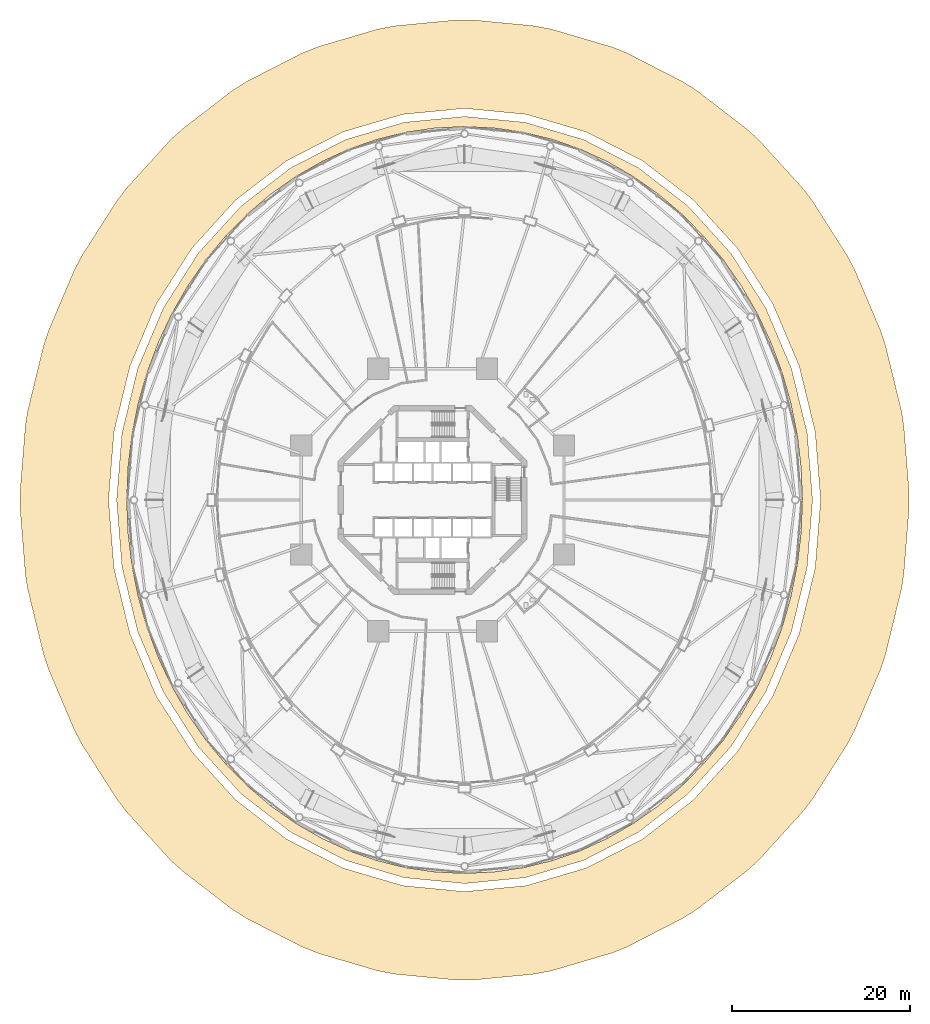
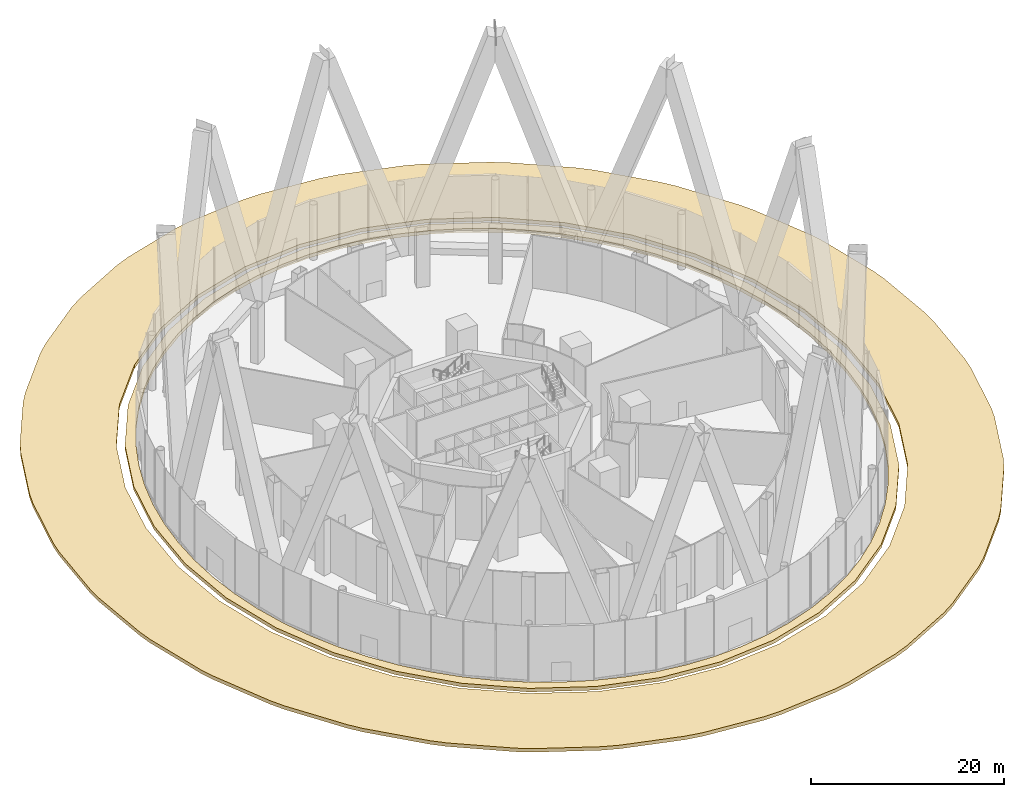
# One storey, part 65 of 67: 2 coverings.
"""IFC4 building model written with IfcOpenShell, lengths in metres."""

import ifcopenshell
import ifcopenshell.guid

model = None  # the IFC model being written
_history = None  # IfcOwnerHistory: only IFC2X3 demands one
_inside = {}  # id of a spatial element -> (the spatial element, [elements in it])
_under = {}  # id of a project, library or spatial element -> (it, [spatial elements below it])
_declared = {}  # id of a project -> (the project, [libraries it declares])
_typed = {}  # id of a type object -> (the type object, [elements of that type])
_made_of = {}  # id of a material, layer set ... -> (it, [elements and type objects made of it])


def new_model(schema):
    """Start an empty IFC model of exactly this schema.

    Asked for "IFC4X3", IfcOpenShell would pick the latest addendum, in which some entities
    have other attributes; the version numbers below select the first issue.
    IFC2X3 requires an IfcOwnerHistory on every rooted entity: one is made here for all.
    """
    global model, _history
    if schema == "IFC4X3":
        model = ifcopenshell.file(schema_version=(4, 3, 0, 0))
    else:
        model = ifcopenshell.file(schema=schema)
    _inside.clear()
    _under.clear()
    _declared.clear()
    _typed.clear()
    _made_of.clear()
    _history = None
    if model.schema == "IFC2X3":
        org = make("IfcOrganization", Name="unknown")
        user = make(
            "IfcPersonAndOrganization",
            ThePerson=make("IfcPerson", FamilyName="unknown"),
            TheOrganization=org,
        )
        app = make(
            "IfcApplication",
            ApplicationDeveloper=org,
            Version="unknown",
            ApplicationFullName="unknown",
            ApplicationIdentifier="unknown",
        )
        _history = make(
            "IfcOwnerHistory",
            OwningUser=user,
            OwningApplication=app,
            ChangeAction="ADDED",
            CreationDate=0,
        )
    return model


def make(cls, **values):
    """One entity of the class cls with the attributes given. An attribute that is None is left unset."""
    return model.create_entity(
        cls, **{name: value for name, value in values.items() if value is not None}
    )


def rooted(cls, **values):
    """An entity with a GlobalId (a new one), such as an element, a storey or a relation."""
    return make(cls, GlobalId=ifcopenshell.guid.new(), OwnerHistory=_history, **values)


def si_unit(unit_type, name, prefix=None):
    """IfcSIUnit, for example si_unit("LENGTHUNIT", "METRE", prefix="MILLI")."""
    return make("IfcSIUnit", UnitType=unit_type, Prefix=prefix, Name=name)


def assignment(units):
    """IfcUnitAssignment: the units of a project."""
    return None if units is None else make("IfcUnitAssignment", Units=units)


def point(xyz):
    """IfcCartesianPoint."""
    return None if xyz is None else make("IfcCartesianPoint", Coordinates=xyz)


def direction(xyz):
    """IfcDirection."""
    return None if xyz is None else make("IfcDirection", DirectionRatios=xyz)


def frame(location, z_axis=None, x_axis=None):
    """IfcAxis2Placement3D, a coordinate frame: its origin and axes. An axis left out is left unset."""
    return make(
        "IfcAxis2Placement3D",
        Location=point(location),
        Axis=direction(z_axis),
        RefDirection=direction(x_axis),
    )


def origin():
    """The frame at (0, 0, 0) with its axes left unset."""
    return frame((0.0, 0.0, 0.0))


def place(relative_to, where):
    """IfcLocalPlacement: puts the frame where relative to a parent placement (None: the world)."""
    return make(
        "IfcLocalPlacement", PlacementRelTo=relative_to, RelativePlacement=where
    )


def context(
    kind, dimensions, precision=None, world=None, true_north=None, identifier=None
):
    """IfcGeometricRepresentationContext, for example the 3D "Model" context."""
    return make(
        "IfcGeometricRepresentationContext",
        ContextIdentifier=identifier,
        ContextType=kind,
        CoordinateSpaceDimension=dimensions,
        Precision=precision,
        WorldCoordinateSystem=world,
        TrueNorth=true_north,
    )


def subcontext(parent, identifier, kind, view, scale=None):
    """IfcGeometricRepresentationSubContext, for example "Body" below "Model"."""
    return make(
        "IfcGeometricRepresentationSubContext",
        ContextIdentifier=identifier,
        ContextType=kind,
        ParentContext=parent,
        TargetScale=scale,
        TargetView=view,
    )


def project(units=None, contexts=None):
    """IfcProject with its units and contexts."""
    return rooted(
        "IfcProject",
        Name="project",
        RepresentationContexts=contexts,
        UnitsInContext=assignment(units),
    )


def spatial(cls, under=None, at=None, **own):
    """A site, building, storey or space (cls), placed at a placement, below another one or the project."""
    s = rooted(cls, ObjectPlacement=at, **own)
    if under is not None:
        _under.setdefault(under.id(), (under, []))[1].append(s)
    return s


def polyline(points):
    """IfcPolyline through the points."""
    return make("IfcPolyline", Points=[point(p) for p in points])


def outline(outer, holes=None, kind="AREA"):
    """IfcArbitraryClosedProfileDef: a profile drawn as a closed curve; with holes, ...WithVoids."""
    if holes is None:
        return make("IfcArbitraryClosedProfileDef", ProfileType=kind, OuterCurve=outer)
    return make(
        "IfcArbitraryProfileDefWithVoids",
        ProfileType=kind,
        OuterCurve=outer,
        InnerCurves=holes,
    )


def extrude(swept, where, along, depth):
    """IfcExtrudedAreaSolid: the profile swept, set in the frame where, extruded along a direction by depth."""
    return make(
        "IfcExtrudedAreaSolid",
        SweptArea=swept,
        Position=where,
        ExtrudedDirection=direction(along),
        Depth=depth,
    )


def shape(context_of_items, identifier, shape_type, items):
    """IfcShapeRepresentation: the items that make up one representation, for example the "Body"."""
    return make(
        "IfcShapeRepresentation",
        ContextOfItems=context_of_items,
        RepresentationIdentifier=identifier,
        RepresentationType=shape_type,
        Items=items,
    )


def material(Name=None, Category=None):
    """IfcMaterial."""
    return make("IfcMaterial", Name=Name, Category=Category)


def layer(
    of_material, thickness, ventilated=None, Name=None, Category=None, Priority=None
):
    """IfcMaterialLayer: one layer of a wall or slab, of a material (None: an air gap)."""
    return make(
        "IfcMaterialLayer",
        Material=of_material,
        LayerThickness=thickness,
        IsVentilated=ventilated,
        Name=Name,
        Category=Category,
        Priority=Priority,
    )


def layer_set(layers, Name=None):
    """IfcMaterialLayerSet."""
    return make("IfcMaterialLayerSet", MaterialLayers=layers, LayerSetName=Name)


def made_of(thing, what):
    """Note that an element or type object is made of a material, layer set ...; save() writes the relation."""
    if what is not None:
        _made_of.setdefault(what.id(), (what, []))[1].append(thing)
    return thing


def type_object(cls, material=None, **own):
    """A type object (cls), such as IfcWallType, which elements share."""
    return made_of(rooted(cls, **own), material)


def element(
    cls,
    number,
    at=None,
    inside=None,
    cuts=None,
    type_object=None,
    material=None,
    context=None,
    identifier="Body",
    shape_type=None,
    held_by="IfcProductDefinitionShape",
    body=None,
    shapes=None,
    **own,
):
    """One element of the class cls, such as IfcWall. Its Tag is "e" and its number.

    at: its placement. inside: the storey or other place that contains it. cuts: it is an
    opening in that element (IfcRelVoidsElement). A single representation is given by context,
    identifier, shape_type and body (its items); several are given by shapes. held_by: the class
    of the entity that holds the representations. save() writes the other relations.
    """
    e = rooted(cls, Tag="e%d" % number, ObjectPlacement=at, **own)
    if body is not None:
        shapes = [shape(context, identifier, shape_type, body)]
    if shapes is not None:
        e.Representation = make(held_by, Representations=shapes)
    if inside is not None:
        _inside.setdefault(inside.id(), (inside, []))[1].append(e)
    if cuts is not None:
        rooted(
            "IfcRelVoidsElement", RelatingBuildingElement=cuts, RelatedOpeningElement=e
        )
    if type_object is not None:
        _typed.setdefault(type_object.id(), (type_object, []))[1].append(e)
    return made_of(e, material)


def aggregate(whole, parts):
    """IfcRelAggregates: a whole, such as a stair, and the parts it consists of."""
    return rooted("IfcRelAggregates", RelatingObject=whole, RelatedObjects=parts)


def save(model, path):
    """Write the relations noted so far, then the file.

    IfcRelAggregates (storeys below a building ...), IfcRelContainedInSpatialStructure (elements
    in a storey), IfcRelDefinesByType, IfcRelAssociatesMaterial and IfcRelDeclares: one each for
    every whole, place, type object, material and project.
    """
    for whole, parts in _under.values():
        aggregate(whole, parts)
    for where, things in _inside.values():
        rooted(
            "IfcRelContainedInSpatialStructure",
            RelatedElements=things,
            RelatingStructure=where,
        )
    for kind, things in _typed.values():
        rooted("IfcRelDefinesByType", RelatedObjects=things, RelatingType=kind)
    for what, things in _made_of.values():
        rooted("IfcRelAssociatesMaterial", RelatedObjects=things, RelatingMaterial=what)
    for by, libraries in _declared.values():
        rooted("IfcRelDeclares", RelatingContext=by, RelatedDefinitions=libraries)
    model.write(path)


model = new_model("IFC4")

# Units and contexts
model_context = context("Model", 3, precision=1e-05, world=origin(), true_north=direction((0.0, 1.0)))
body_context = subcontext(model_context, "Body", "Model", "MODEL_VIEW")
ifc_project = project(units=[si_unit("LENGTHUNIT", "METRE"), si_unit("AREAUNIT", "SQUARE_METRE"), si_unit("VOLUMEUNIT", "CUBIC_METRE"), si_unit("PLANEANGLEUNIT", "RADIAN"), si_unit("MASSUNIT", "GRAM", prefix="KILO")], contexts=[model_context])

# Site, building, storey
site_placement = place(None, origin())
site = spatial("IfcSite", under=ifc_project, at=site_placement, CompositionType="ELEMENT")
building_placement = place(site_placement, origin())
building = spatial("IfcBuilding", under=site, at=building_placement, Name="Nagisa Residences", CompositionType="ELEMENT")
storey_placement = place(building_placement, origin())
storey = spatial("IfcBuildingStorey", under=building, at=storey_placement, Name="L00", CompositionType="ELEMENT", Elevation=0.0)

# Coverings
ifc_material = material(Name="Granite paving", Category="masonry")
ifc_layer = layer(ifc_material, 0.449951171875)
ifc_layer_set = layer_set([ifc_layer], Name="FORECOURT PAVING 450")
covering_type = type_object("IfcCoveringType", Name="FORECOURT PAVING 450", PredefinedType="FLOORING", material=ifc_layer_set)
covering_1_placement = place(storey_placement, frame((0.0, 0.0, -0.449951171875)))
element("IfcCovering", 1, at=covering_1_placement, inside=storey, type_object=covering_type, Name="paving:L00:strip", PredefinedType="FLOORING", context=body_context, shape_type="SweptSolid", body=[
    extrude(outline(polyline([(42.1513671875, -7.505615234375), (40.379150390625, -14.781005859375), (37.48681640625, -21.603759765625), (33.564697265625, -27.765625), (28.73388671875, -33.07958984375), (23.143310546875, -37.385498046875), (16.96435546875, -40.554931640625), (10.3837890625, -42.49462890625), (3.60009765625, -43.1474609375), (-3.183837890625, -42.49462890625), (-9.76416015625, -40.554931640625), (-15.943359375, -37.385498046875), (-21.533935546875, -33.07958984375), (-26.364501953125, -27.765625), (-30.286865234375, -21.603759765625), (-33.17919921875, -14.781005859375), (-34.951416015625, -7.505615234375), (-35.54833984375, 0.0), (-34.951416015625, 7.505615234375), (-33.17919921875, 14.781005859375), (-30.286865234375, 21.603759765625), (-26.364501953125, 27.765625), (-21.533935546875, 33.07958984375), (-15.943359375, 37.385498046875), (-9.76416015625, 40.554931640625), (-3.183837890625, 42.49462890625), (3.60009765625, 43.1474609375), (10.3837890625, 42.49462890625), (16.96435546875, 40.554931640625), (23.143310546875, 37.385498046875), (28.73388671875, 33.07958984375), (33.564697265625, 27.765625), (37.48681640625, 21.603759765625), (40.379150390625, 14.781005859375), (42.1513671875, 7.505615234375), (42.748291015625, 0.0), (42.1513671875, -7.505615234375)]), holes=[polyline([(41.455322265625, 3.66064453125), (41.022705078125, 7.293212890625), (40.30517578125, 10.870361328125), (39.308349609375, 14.36474609375), (38.039794921875, 17.75), (36.509033203125, 21.0), (34.727783203125, 24.09033203125), (32.709716796875, 26.9970703125), (30.469970703125, 29.698486328125), (28.02587890625, 32.173828125), (25.39599609375, 34.404296875), (22.60009765625, 36.373046875), (19.659423828125, 38.06494140625), (16.5966796875, 39.467041015625), (13.43505859375, 40.56884765625), (10.19873046875, 41.36181640625), (6.911865234375, 41.840087890625), (3.60009765625, 42.0), (0.2880859375, 41.840087890625), (-2.99853515625, 41.36181640625), (-6.235107421875, 40.56884765625), (-9.396728515625, 39.467041015625), (-12.45947265625, 38.06494140625), (-15.39990234375, 36.373046875), (-18.19580078125, 34.404296875), (-20.825927734375, 32.173828125), (-23.27001953125, 29.698486328125), (-25.509765625, 26.9970703125), (-27.52783203125, 24.09033203125), (-29.30908203125, 21.0), (-30.839599609375, 17.75), (-32.1083984375, 14.36474609375), (-33.105224609375, 10.870361328125), (-33.82275390625, 7.293212890625), (-34.25537109375, 3.66064453125), (-34.39990234375, 0.0), (-34.25537109375, -3.66064453125), (-33.82275390625, -7.293212890625), (-33.105224609375, -10.870361328125), (-32.1083984375, -14.36474609375), (-30.839599609375, -17.75), (-29.30908203125, -21.0), (-27.52783203125, -24.09033203125), (-25.509765625, -26.9970703125), (-23.27001953125, -29.698486328125), (-20.825927734375, -32.173828125), (-18.19580078125, -34.404296875), (-15.39990234375, -36.373046875), (-12.45947265625, -38.06494140625), (-9.396728515625, -39.467041015625), (-6.235107421875, -40.56884765625), (-2.99853515625, -41.36181640625), (0.2880859375, -41.840087890625), (3.60009765625, -42.0), (6.911865234375, -41.840087890625), (10.19873046875, -41.36181640625), (13.43505859375, -40.56884765625), (16.5966796875, -39.467041015625), (19.659423828125, -38.06494140625), (22.60009765625, -36.373046875), (25.39599609375, -34.404296875), (28.02587890625, -32.173828125), (30.469970703125, -29.698486328125), (32.709716796875, -26.9970703125), (34.727783203125, -24.09033203125), (36.509033203125, -21.0), (38.039794921875, -17.75), (39.308349609375, -14.36474609375), (40.30517578125, -10.870361328125), (41.022705078125, -7.293212890625), (41.455322265625, -3.66064453125), (41.60009765625, 0.0), (41.455322265625, 3.66064453125)])]), origin(), (0.0, 0.0, 1.0), 0.449951171875),
])
covering_2_placement = place(storey_placement, frame((0.0, 0.0, -0.449951171875)))
element("IfcCovering", 2, at=covering_2_placement, inside=storey, type_object=covering_type, Name="paving:L00:ring", PredefinedType="FLOORING", context=body_context, shape_type="SweptSolid", body=[
    extrude(outline(polyline([(53.61669921875, -0.82861328125), (53.01416015625, -8.40576171875), (52.750244140625, -10.05029296875), (50.960693359375, -17.396240234375), (50.428955078125, -19.001708984375), (47.5078125, -25.892333984375), (46.7021484375, -27.42529296875), (42.739013671875, -33.6513671875), (41.656005859375, -35.069091796875), (36.7724609375, -40.441162109375), (35.416748046875, -41.690673828125), (29.76220703125, -46.0458984375), (28.15478515625, -47.065185546875), (21.9013671875, -50.27294921875), (20.08642578125, -50.998291015625), (13.424072265625, -52.962158203125), (11.470703125, -53.34033203125), (4.60107421875, -54.00146484375), (2.598876953125, -54.00146484375), (-4.270751953125, -53.34033203125), (-6.22412109375, -52.962158203125), (-12.886474609375, -50.998291015625), (-14.701416015625, -50.27294921875), (-20.954833984375, -47.065185546875), (-22.56201171875, -46.0458984375), (-28.216796875, -41.690673828125), (-29.572509765625, -40.441162109375), (-34.455810546875, -35.069091796875), (-35.5390625, -33.6513671875), (-39.502197265625, -27.42529296875), (-40.307861328125, -25.892333984375), (-43.228759765625, -19.001708984375), (-43.7607421875, -17.396240234375), (-45.550048828125, -10.05029296875), (-45.814208984375, -8.40576171875), (-46.416748046875, -0.82861328125), (-46.416748046875, 0.82861328125), (-45.814208984375, 8.40576171875), (-45.550048828125, 10.05029296875), (-43.7607421875, 17.396240234375), (-43.228759765625, 19.001708984375), (-40.307861328125, 25.892333984375), (-39.502197265625, 27.42529296875), (-35.5390625, 33.6513671875), (-34.455810546875, 35.069091796875), (-29.572509765625, 40.441162109375), (-28.216796875, 41.690673828125), (-22.56201171875, 46.0458984375), (-20.954833984375, 47.065185546875), (-14.701416015625, 50.27294921875), (-12.886474609375, 50.998291015625), (-6.22412109375, 52.962158203125), (-4.270751953125, 53.34033203125), (2.598876953125, 54.00146484375), (4.60107421875, 54.00146484375), (11.470703125, 53.34033203125), (13.424072265625, 52.962158203125), (20.08642578125, 50.998291015625), (21.9013671875, 50.27294921875), (28.15478515625, 47.065185546875), (29.76220703125, 46.0458984375), (35.416748046875, 41.690673828125), (36.7724609375, 40.441162109375), (41.656005859375, 35.069091796875), (42.739013671875, 33.6513671875), (46.7021484375, 27.42529296875), (47.5078125, 25.892333984375), (50.428955078125, 19.001708984375), (50.960693359375, 17.396240234375), (52.750244140625, 10.05029296875), (53.01416015625, 8.40576171875), (53.61669921875, 0.82861328125), (53.61669921875, -0.82861328125)]), holes=[polyline([(43.042724609375, 7.648681640625), (41.236328125, 15.065185546875), (38.286376953125, 22.02392578125), (34.282470703125, 28.31396484375), (29.34619140625, 33.743896484375), (23.62744140625, 38.148681640625), (17.2998046875, 41.394287109375), (10.5556640625, 43.38232421875), (3.60009765625, 44.051513671875), (-3.355712890625, 43.38232421875), (-10.099853515625, 41.394287109375), (-16.427490234375, 38.148681640625), (-22.146240234375, 33.743896484375), (-27.08251953125, 28.31396484375), (-31.086181640625, 22.02392578125), (-34.0361328125, 15.065185546875), (-35.8427734375, 7.648681640625), (-36.451171875, 0.0), (-35.8427734375, -7.648681640625), (-34.0361328125, -15.065185546875), (-31.086181640625, -22.02392578125), (-27.08251953125, -28.31396484375), (-22.146240234375, -33.743896484375), (-16.427490234375, -38.148681640625), (-10.099853515625, -41.394287109375), (-3.355712890625, -43.38232421875), (3.60009765625, -44.051513671875), (10.5556640625, -43.38232421875), (17.2998046875, -41.394287109375), (23.62744140625, -38.148681640625), (29.34619140625, -33.743896484375), (34.282470703125, -28.31396484375), (38.286376953125, -22.02392578125), (41.236328125, -15.065185546875), (43.042724609375, -7.648681640625), (43.651123046875, 0.0), (43.042724609375, 7.648681640625)])]), origin(), (0.0, 0.0, 1.0), 0.449951171875),
])

save(model, "model.ifc")
